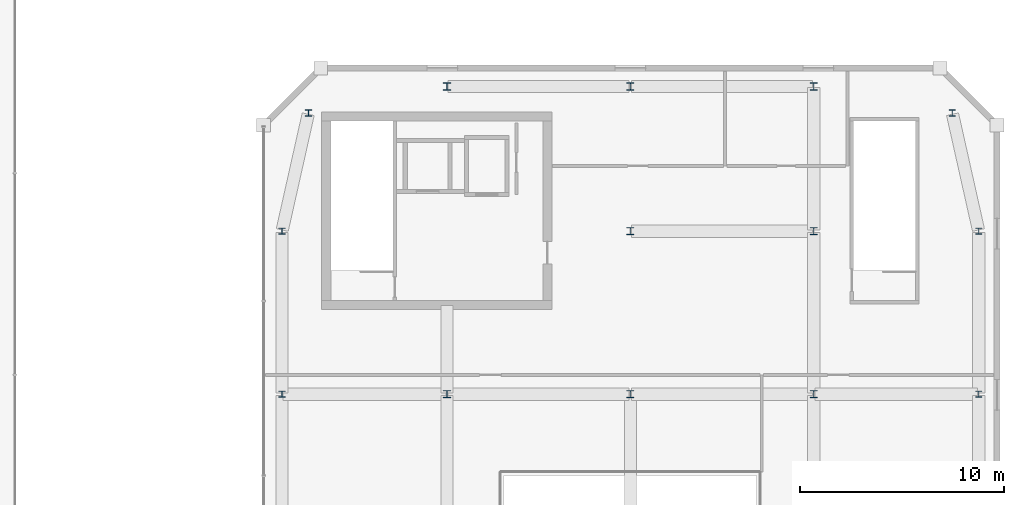
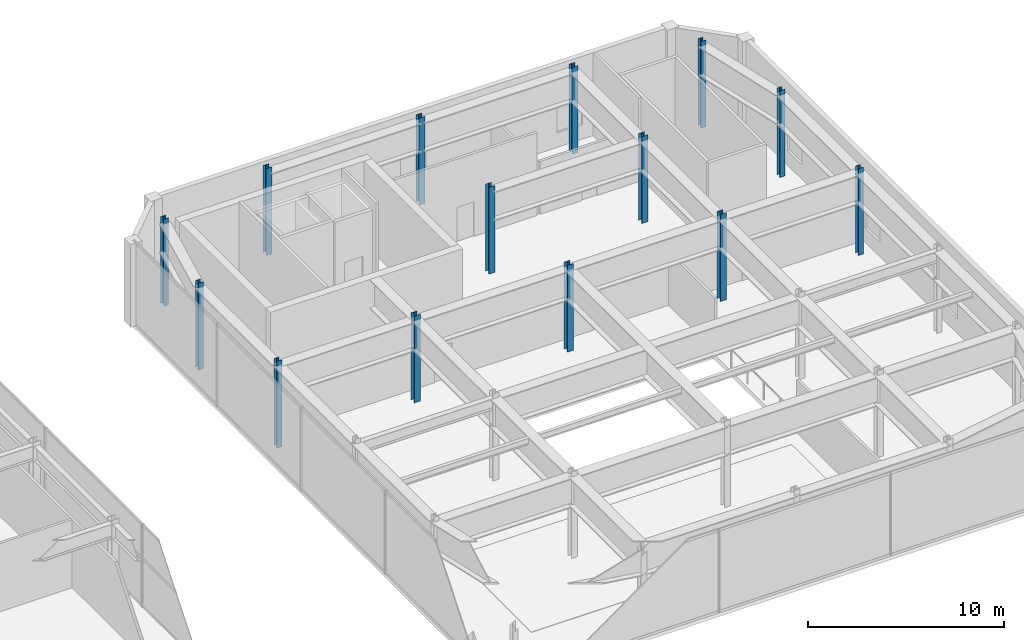
# One storey, part 7 of 53: 14 columns.
"""IFC4 building model written with IfcOpenShell, lengths in metres."""

from ifc_helpers import new_model, si_unit, direction, frame, origin, origin_2d, place, context, subcontext, project, spatial, i_section, extrude, material, material_profile, profile_set, type_object, element, save


model = new_model("IFC4")

# Units and contexts
model_context = context("Model", 3, precision=1e-05, world=origin(), true_north=direction((0.0, 1.0)))
body_context = subcontext(model_context, "Body", "Model", "MODEL_VIEW")
ifc_project = project(units=[si_unit("LENGTHUNIT", "METRE"), si_unit("AREAUNIT", "SQUARE_METRE"), si_unit("VOLUMEUNIT", "CUBIC_METRE"), si_unit("PLANEANGLEUNIT", "RADIAN"), si_unit("MASSUNIT", "GRAM", prefix="KILO")], contexts=[model_context])

# Site, building, storey
site_placement = place(None, origin())
site = spatial("IfcSite", under=ifc_project, at=site_placement, CompositionType="ELEMENT")
building_placement = place(site_placement, origin())
building = spatial("IfcBuilding", under=site, at=building_placement, Name="Saevonmaru Cultural Tower", CompositionType="ELEMENT")
storey_placement = place(building_placement, frame((0.0, 0.0, 22.199951171875)))
storey = spatial("IfcBuildingStorey", under=building, at=storey_placement, Name="L04", CompositionType="ELEMENT", Elevation=22.199951171875)

# Columns
ifc_material = material(Name="Steel SM355", Category="steel")
ifc_material_profile_1 = material_profile(ifc_material, i_section(OverallWidth=0.300048828125, OverallDepth=0.300048828125, WebThickness=0.010009765625, FlangeThickness=0.014892578125, FilletRadius=0.01806640625, at=origin_2d()), Name="H-300x300x10x15")
ifc_profile_set_1 = profile_set([ifc_material_profile_1], Name="Steel SM355")
column_type_1 = type_object("IfcColumnType", Name="COL-H-300", PredefinedType="COLUMN", material=ifc_profile_set_1)
for number, where, z_axis, x_axis, name in (
    (1, (73.10009765625, 32.0, 0.0), (0.0, 0.0, 1.0), (1.0, 0.0, 0.0), "L04 Column LC-9-E"),
    (2, (73.10009765625, 40.0, 0.0), (0.0, 0.0, 1.0), (1.0, 0.0, 0.0), "L04 Column LC-9-F"),
    (3, (74.39990234375, 45.800048828125, 0.0), (0.0, 0.0, 1.0), (1.0, 0.0, 0.0), "L04 Column LC-9-G"),
    (4, (107.300048828125, 32.0, 0.0), (0.0, 0.0, 1.0), (1.0, 0.0, 0.0), "L04 Column LC-13-E"),
    (5, (107.300048828125, 40.0, 0.0), (0.0, 0.0, 1.0), (1.0, 0.0, 0.0), "L04 Column LC-13-F"),
    (6, (106.0, 45.800048828125, 0.0), (0.0, 0.0, 1.0), (1.0, 0.0, 0.0), "L04 Column LC-13-G"),
):
    element("IfcColumn", number, at=place(storey_placement, frame(where, z_axis=z_axis, x_axis=x_axis)), inside=storey, type_object=column_type_1, Name=name, PredefinedType="COLUMN", context=body_context, shape_type="SweptSolid", body=[
        extrude(i_section(OverallWidth=0.300048828125, OverallDepth=0.300048828125, WebThickness=0.010009765625, FlangeThickness=0.014892578125, FilletRadius=0.01806640625, at=origin_2d()), origin(), (0.0, 0.0, 1.0), 5.400146484375),
    ])
ifc_material_profile_2 = material_profile(ifc_material, i_section(OverallWidth=0.35009765625, OverallDepth=0.35009765625, WebThickness=0.011962890625, FlangeThickness=0.01904296875, FilletRadius=0.02001953125, at=origin_2d()), Name="H-350x350x12x19")
ifc_profile_set_2 = profile_set([ifc_material_profile_2], Name="Steel SM355")
column_type_2 = type_object("IfcColumnType", Name="COL-H-350", PredefinedType="COLUMN", material=ifc_profile_set_2)
for number, where, z_axis, x_axis, name in (
    (7, (81.199951171875, 32.0, 0.0), (0.0, 0.0, 1.0), (1.0, 0.0, 0.0), "L04 Column LC-10-E"),
    (8, (81.199951171875, 47.10009765625, 0.0), (0.0, 0.0, 1.0), (1.0, 0.0, 0.0), "L04 Column LC-10-G"),
    (9, (90.199951171875, 32.0, 0.0), (0.0, 0.0, 1.0), (1.0, 0.0, 0.0), "L04 Column LC-11-E"),
    (10, (90.199951171875, 40.0, 0.0), (0.0, 0.0, 1.0), (1.0, 0.0, 0.0), "L04 Column LC-11-F"),
    (11, (90.199951171875, 47.10009765625, 0.0), (0.0, 0.0, 1.0), (1.0, 0.0, 0.0), "L04 Column LC-11-G"),
    (12, (99.199951171875, 32.0, 0.0), (0.0, 0.0, 1.0), (1.0, 0.0, 0.0), "L04 Column LC-12-E"),
    (13, (99.199951171875, 40.0, 0.0), (0.0, 0.0, 1.0), (1.0, 0.0, 0.0), "L04 Column LC-12-F"),
    (14, (99.199951171875, 47.10009765625, 0.0), (0.0, 0.0, 1.0), (1.0, 0.0, 0.0), "L04 Column LC-12-G"),
):
    element("IfcColumn", number, at=place(storey_placement, frame(where, z_axis=z_axis, x_axis=x_axis)), inside=storey, type_object=column_type_2, Name=name, PredefinedType="COLUMN", context=body_context, shape_type="SweptSolid", body=[
        extrude(i_section(OverallWidth=0.35009765625, OverallDepth=0.35009765625, WebThickness=0.011962890625, FlangeThickness=0.01904296875, FilletRadius=0.02001953125, at=origin_2d()), origin(), (0.0, 0.0, 1.0), 5.400146484375),
    ])

save(model, "model.ifc")
